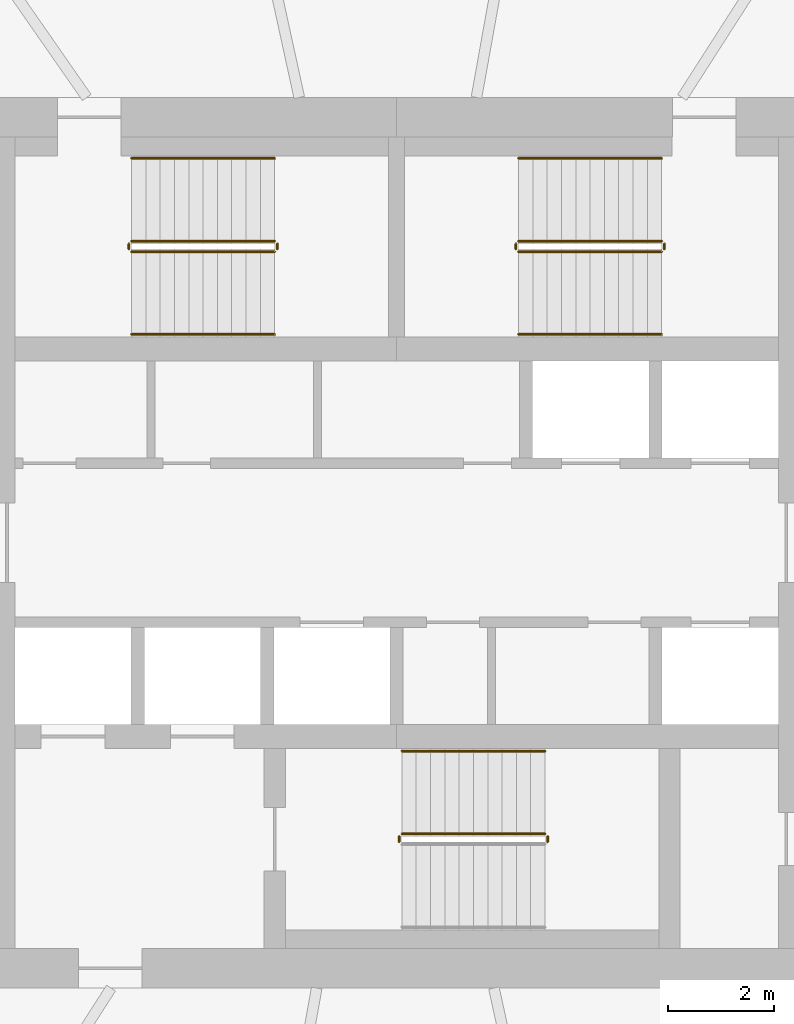
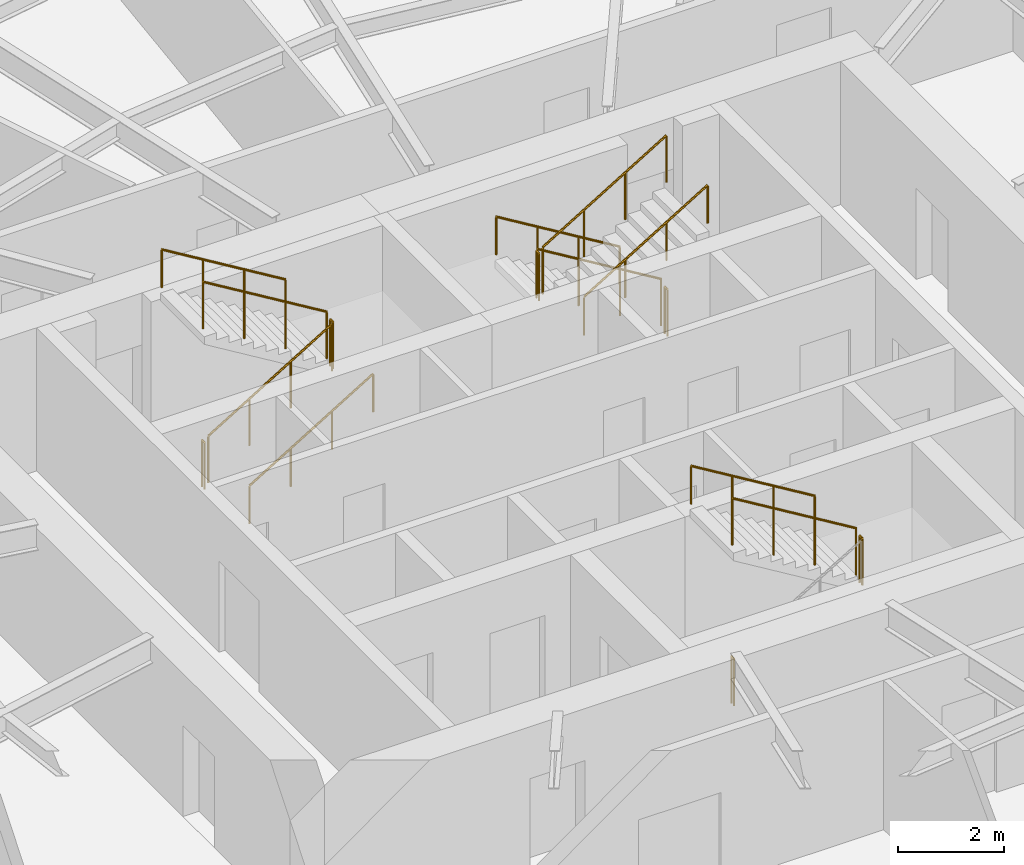
# One storey, part 13 of 14: 16 railings.
"""IFC4 building model written with IfcOpenShell, lengths in metres."""

from ifc_helpers import new_model, si_unit, direction, frame, origin, origin_2d, place, context, subcontext, project, spatial, circle, extrude, material, type_object, element, save


model = new_model("IFC4")

# Units and contexts
model_context = context("Model", 3, precision=1e-05, world=origin(), true_north=direction((0.0, 1.0)))
body_context = subcontext(model_context, "Body", "Model", "MODEL_VIEW")
ifc_project = project(units=[si_unit("LENGTHUNIT", "METRE"), si_unit("AREAUNIT", "SQUARE_METRE"), si_unit("VOLUMEUNIT", "CUBIC_METRE"), si_unit("PLANEANGLEUNIT", "RADIAN"), si_unit("MASSUNIT", "GRAM", prefix="KILO")], contexts=[model_context])

# Site, building, storey
site_placement = place(None, origin())
site = spatial("IfcSite", under=ifc_project, at=site_placement, CompositionType="ELEMENT")
building_placement = place(site_placement, origin())
building = spatial("IfcBuilding", under=site, at=building_placement, Name="Vermilion Reach Broadcast Tower", CompositionType="ELEMENT")
storey_placement = place(building_placement, frame((0.0, 0.0, 217.300048828125)))
storey = spatial("IfcBuildingStorey", under=building, at=storey_placement, Name="L53", CompositionType="ELEMENT", Elevation=217.300048828125)

# Railings
ifc_material_1 = material(Name="Stainless steel", Category="steel")
railing_type_1 = type_object("IfcRailingType", Name="Stair guard 1100", PredefinedType="GUARDRAIL", material=ifc_material_1)
railing_1_placement = place(storey_placement, frame((-11.0, 5.489990234375, 0.16357421875)))
element("IfcRailing", 1, at=railing_1_placement, inside=storey, type_object=railing_type_1, Name="L53 ST1 stair guard 1", PredefinedType="GUARDRAIL", context=body_context, shape_type="SweptSolid", body=[
    extrude(circle(Radius=0.02392578125, at=origin_2d()), frame((0.0, 0.0, 1.076171875), z_axis=(0.855178096276, 0.0, 0.518334277904), x_axis=(0.0, 1.0, 0.0)), (0.0, 0.0, 1.0), 3.1572265625),
    extrude(circle(Radius=0.02099609375, at=origin_2d()), origin(), (0.0, 0.0, 1.0), 1.052001953125),
    extrude(circle(Radius=0.02099609375, at=origin_2d()), frame((0.89990234375, 0.0, 0.54541015625)), (0.0, 0.0, 1.0), 1.052001953125),
    extrude(circle(Radius=0.02099609375, at=origin_2d()), frame((1.800048828125, 0.0, 1.091064453125)), (0.0, 0.0, 1.0), 1.052001953125),
    extrude(circle(Radius=0.02099609375, at=origin_2d()), frame((2.699951171875, 0.0, 1.636474609375)), (0.0, 0.0, 1.0), 1.052001953125),
])
railing_2_placement = place(storey_placement, frame((-8.25, 5.5400390625, 1.800048828125)))
element("IfcRailing", 2, at=railing_2_placement, inside=storey, type_object=railing_type_1, Name="L53 ST1 stair guard 2", PredefinedType="GUARDRAIL", context=body_context, shape_type="SweptSolid", body=[
    extrude(circle(Radius=0.02392578125, at=origin_2d()), frame((0.0, 0.0, 1.076171875), z_axis=(0.0, 1.0, 0.0), x_axis=(-1.0, 0.0, 0.0)), (0.0, 0.0, 1.0), 0.099853515625),
    extrude(circle(Radius=0.02099609375, at=origin_2d()), origin(), (0.0, 0.0, 1.0), 1.052001953125),
    extrude(circle(Radius=0.02099609375, at=origin_2d()), frame((0.0, 0.099853515625, 0.0)), (0.0, 0.0, 1.0), 1.052001953125),
])
railing_3_placement = place(storey_placement, frame((-8.300048828125, 5.68994140625, 1.963623046875)))
element("IfcRailing", 3, at=railing_3_placement, inside=storey, type_object=railing_type_1, Name="L53 ST1 stair guard 3", PredefinedType="GUARDRAIL", context=body_context, shape_type="SweptSolid", body=[
    extrude(circle(Radius=0.02392578125, at=origin_2d()), frame((0.0, 0.0, 1.076171875), z_axis=(-0.855212373127, 0.0, 0.518277721738), x_axis=(0.0, -1.0, 0.0)), (0.0, 0.0, 1.0), 3.156982421875),
    extrude(circle(Radius=0.02099609375, at=origin_2d()), origin(), (0.0, 0.0, 1.0), 1.052001953125),
    extrude(circle(Radius=0.02099609375, at=origin_2d()), frame((-0.89990234375, 0.0, 0.54541015625)), (0.0, 0.0, 1.0), 1.052001953125),
    extrude(circle(Radius=0.02099609375, at=origin_2d()), frame((-1.800048828125, 0.0, 1.0908203125)), (0.0, 0.0, 1.0), 1.052001953125),
    extrude(circle(Radius=0.02099609375, at=origin_2d()), frame((-2.699951171875, 0.0, 1.63623046875)), (0.0, 0.0, 1.0), 1.052001953125),
])
railing_4_placement = place(storey_placement, frame((-11.050048828125, 5.5400390625, 0.0)))
element("IfcRailing", 4, at=railing_4_placement, inside=storey, type_object=railing_type_1, Name="L53 ST1 stair guard 4", PredefinedType="GUARDRAIL", context=body_context, shape_type="SweptSolid", body=[
    extrude(circle(Radius=0.02392578125, at=origin_2d()), frame((0.0, 0.0, 1.076171875), z_axis=(0.0, 1.0, 0.0), x_axis=(-1.0, 0.0, 0.0)), (0.0, 0.0, 1.0), 0.099853515625),
    extrude(circle(Radius=0.02099609375, at=origin_2d()), origin(), (0.0, 0.0, 1.0), 1.052001953125),
    extrude(circle(Radius=0.02099609375, at=origin_2d()), frame((0.0, 0.099853515625, 0.0)), (0.0, 0.0, 1.0), 1.052001953125),
])
railing_5_placement = place(storey_placement, frame((-1.0, 5.68994140625, 0.16357421875)))
element("IfcRailing", 5, at=railing_5_placement, inside=storey, type_object=railing_type_1, Name="L53 ST2 stair guard 1", PredefinedType="GUARDRAIL", context=body_context, shape_type="SweptSolid", body=[
    extrude(circle(Radius=0.02392578125, at=origin_2d()), frame((0.0, 0.0, 1.076171875), z_axis=(-0.855178096276, 0.0, 0.518334277904), x_axis=(0.0, -1.0, 0.0)), (0.0, 0.0, 1.0), 3.1572265625),
    extrude(circle(Radius=0.02099609375, at=origin_2d()), origin(), (0.0, 0.0, 1.0), 1.052001953125),
    extrude(circle(Radius=0.02099609375, at=origin_2d()), frame((-0.89990234375, 0.0, 0.54541015625)), (0.0, 0.0, 1.0), 1.052001953125),
    extrude(circle(Radius=0.02099609375, at=origin_2d()), frame((-1.800048828125, 0.0, 1.091064453125)), (0.0, 0.0, 1.0), 1.052001953125),
    extrude(circle(Radius=0.02099609375, at=origin_2d()), frame((-2.699951171875, 0.0, 1.636474609375)), (0.0, 0.0, 1.0), 1.052001953125),
])
railing_6_placement = place(storey_placement, frame((-3.75, 5.639892578125, 1.800048828125)))
element("IfcRailing", 6, at=railing_6_placement, inside=storey, type_object=railing_type_1, Name="L53 ST2 stair guard 2", PredefinedType="GUARDRAIL", context=body_context, shape_type="SweptSolid", body=[
    extrude(circle(Radius=0.02392578125, at=origin_2d()), frame((0.0, 0.0, 1.076171875), z_axis=(0.0, -1.0, 0.0), x_axis=(1.0, 0.0, 0.0)), (0.0, 0.0, 1.0), 0.099853515625),
    extrude(circle(Radius=0.02099609375, at=origin_2d()), origin(), (0.0, 0.0, 1.0), 1.052001953125),
    extrude(circle(Radius=0.02099609375, at=origin_2d()), frame((0.0, -0.099853515625, 0.0)), (0.0, 0.0, 1.0), 1.052001953125),
])
railing_7_placement = place(storey_placement, frame((-3.699951171875, 5.489990234375, 1.963623046875)))
element("IfcRailing", 7, at=railing_7_placement, inside=storey, type_object=railing_type_1, Name="L53 ST2 stair guard 3", PredefinedType="GUARDRAIL", context=body_context, shape_type="SweptSolid", body=[
    extrude(circle(Radius=0.02392578125, at=origin_2d()), frame((0.0, 0.0, 1.076171875), z_axis=(0.855212373127, 0.0, 0.518277721738), x_axis=(0.0, 1.0, 0.0)), (0.0, 0.0, 1.0), 3.156982421875),
    extrude(circle(Radius=0.02099609375, at=origin_2d()), origin(), (0.0, 0.0, 1.0), 1.052001953125),
    extrude(circle(Radius=0.02099609375, at=origin_2d()), frame((0.89990234375, 0.0, 0.54541015625)), (0.0, 0.0, 1.0), 1.052001953125),
    extrude(circle(Radius=0.02099609375, at=origin_2d()), frame((1.800048828125, 0.0, 1.0908203125)), (0.0, 0.0, 1.0), 1.052001953125),
    extrude(circle(Radius=0.02099609375, at=origin_2d()), frame((2.699951171875, 0.0, 1.63623046875)), (0.0, 0.0, 1.0), 1.052001953125),
])
railing_8_placement = place(storey_placement, frame((-0.949951171875, 5.639892578125, 0.0)))
element("IfcRailing", 8, at=railing_8_placement, inside=storey, type_object=railing_type_1, Name="L53 ST2 stair guard 4", PredefinedType="GUARDRAIL", context=body_context, shape_type="SweptSolid", body=[
    extrude(circle(Radius=0.02392578125, at=origin_2d()), frame((0.0, 0.0, 1.076171875), z_axis=(0.0, -1.0, 0.0), x_axis=(1.0, 0.0, 0.0)), (0.0, 0.0, 1.0), 0.099853515625),
    extrude(circle(Radius=0.02099609375, at=origin_2d()), origin(), (0.0, 0.0, 1.0), 1.052001953125),
    extrude(circle(Radius=0.02099609375, at=origin_2d()), frame((0.0, -0.099853515625, 0.0)), (0.0, 0.0, 1.0), 1.052001953125),
])
railing_9_placement = place(storey_placement, frame((-3.14990234375, -5.639892578125, 1.800048828125)))
element("IfcRailing", 9, at=railing_9_placement, inside=storey, type_object=railing_type_1, Name="L53 ST3 stair guard 2", PredefinedType="GUARDRAIL", context=body_context, shape_type="SweptSolid", body=[
    extrude(circle(Radius=0.02392578125, at=origin_2d()), frame((0.0, 0.0, 1.076171875), z_axis=(0.0, 1.0, 0.0), x_axis=(-1.0, 0.0, 0.0)), (0.0, 0.0, 1.0), 0.099853515625),
    extrude(circle(Radius=0.02099609375, at=origin_2d()), origin(), (0.0, 0.0, 1.0), 1.052001953125),
    extrude(circle(Radius=0.02099609375, at=origin_2d()), frame((0.0, 0.099853515625, 0.0)), (0.0, 0.0, 1.0), 1.052001953125),
])
railing_10_placement = place(storey_placement, frame((-3.199951171875, -5.489990234375, 1.963623046875)))
element("IfcRailing", 10, at=railing_10_placement, inside=storey, type_object=railing_type_1, Name="L53 ST3 stair guard 3", PredefinedType="GUARDRAIL", context=body_context, shape_type="SweptSolid", body=[
    extrude(circle(Radius=0.02392578125, at=origin_2d()), frame((0.0, 0.0, 1.076171875), z_axis=(-0.855212373127, 0.0, 0.518277721738), x_axis=(0.0, -1.0, 0.0)), (0.0, 0.0, 1.0), 3.156982421875),
    extrude(circle(Radius=0.02099609375, at=origin_2d()), origin(), (0.0, 0.0, 1.0), 1.052001953125),
    extrude(circle(Radius=0.02099609375, at=origin_2d()), frame((-0.89990234375, 0.0, 0.54541015625)), (0.0, 0.0, 1.0), 1.052001953125),
    extrude(circle(Radius=0.02099609375, at=origin_2d()), frame((-1.800048828125, 0.0, 1.0908203125)), (0.0, 0.0, 1.0), 1.052001953125),
    extrude(circle(Radius=0.02099609375, at=origin_2d()), frame((-2.699951171875, 0.0, 1.63623046875)), (0.0, 0.0, 1.0), 1.052001953125),
])
railing_11_placement = place(storey_placement, frame((-5.949951171875, -5.639892578125, 0.0)))
element("IfcRailing", 11, at=railing_11_placement, inside=storey, type_object=railing_type_1, Name="L53 ST3 stair guard 4", PredefinedType="GUARDRAIL", context=body_context, shape_type="SweptSolid", body=[
    extrude(circle(Radius=0.02392578125, at=origin_2d()), frame((0.0, 0.0, 1.076171875), z_axis=(0.0, 1.0, 0.0), x_axis=(-1.0, 0.0, 0.0)), (0.0, 0.0, 1.0), 0.099853515625),
    extrude(circle(Radius=0.02099609375, at=origin_2d()), origin(), (0.0, 0.0, 1.0), 1.052001953125),
    extrude(circle(Radius=0.02099609375, at=origin_2d()), frame((0.0, 0.099853515625, 0.0)), (0.0, 0.0, 1.0), 1.052001953125),
])
ifc_material_2 = material(Name="Stainless steel", Category="steel")
railing_type_2 = type_object("IfcRailingType", Name="Stair handrail", PredefinedType="HANDRAIL", material=ifc_material_2)
railing_12_placement = place(storey_placement, frame((-11.0, 3.929931640625, 0.16357421875)))
element("IfcRailing", 12, at=railing_12_placement, inside=storey, type_object=railing_type_2, Name="L53 ST1 stair handrail 1", PredefinedType="HANDRAIL", context=body_context, shape_type="SweptSolid", body=[
    extrude(circle(Radius=0.02392578125, at=origin_2d()), frame((0.0, 0.0, 0.8759765625), z_axis=(0.855178096276, 0.0, 0.518334277904), x_axis=(0.0, 1.0, 0.0)), (0.0, 0.0, 1.0), 3.1572265625),
    extrude(circle(Radius=0.02099609375, at=origin_2d()), origin(), (0.0, 0.0, 1.0), 0.851806640625),
    extrude(circle(Radius=0.02099609375, at=origin_2d()), frame((0.89990234375, 0.0, 0.54541015625)), (0.0, 0.0, 1.0), 0.851806640625),
    extrude(circle(Radius=0.02099609375, at=origin_2d()), frame((1.800048828125, 0.0, 1.091064453125)), (0.0, 0.0, 1.0), 0.851806640625),
    extrude(circle(Radius=0.02099609375, at=origin_2d()), frame((2.699951171875, 0.0, 1.636474609375)), (0.0, 0.0, 1.0), 0.851806640625),
])
railing_13_placement = place(storey_placement, frame((-8.300048828125, 7.25, 1.963623046875)))
element("IfcRailing", 13, at=railing_13_placement, inside=storey, type_object=railing_type_2, Name="L53 ST1 stair handrail 2", PredefinedType="HANDRAIL", context=body_context, shape_type="SweptSolid", body=[
    extrude(circle(Radius=0.02392578125, at=origin_2d()), frame((0.0, 0.0, 0.8759765625), z_axis=(-0.855212373127, 0.0, 0.518277721738), x_axis=(0.0, -1.0, 0.0)), (0.0, 0.0, 1.0), 3.156982421875),
    extrude(circle(Radius=0.02099609375, at=origin_2d()), origin(), (0.0, 0.0, 1.0), 0.851806640625),
    extrude(circle(Radius=0.02099609375, at=origin_2d()), frame((-0.89990234375, 0.0, 0.54541015625)), (0.0, 0.0, 1.0), 0.851806640625),
    extrude(circle(Radius=0.02099609375, at=origin_2d()), frame((-1.800048828125, 0.0, 1.0908203125)), (0.0, 0.0, 1.0), 0.851806640625),
    extrude(circle(Radius=0.02099609375, at=origin_2d()), frame((-2.699951171875, 0.0, 1.63623046875)), (0.0, 0.0, 1.0), 0.851806640625),
])
railing_14_placement = place(storey_placement, frame((-1.0, 7.25, 0.16357421875)))
element("IfcRailing", 14, at=railing_14_placement, inside=storey, type_object=railing_type_2, Name="L53 ST2 stair handrail 1", PredefinedType="HANDRAIL", context=body_context, shape_type="SweptSolid", body=[
    extrude(circle(Radius=0.02392578125, at=origin_2d()), frame((0.0, 0.0, 0.8759765625), z_axis=(-0.855178096276, 0.0, 0.518334277904), x_axis=(0.0, -1.0, 0.0)), (0.0, 0.0, 1.0), 3.1572265625),
    extrude(circle(Radius=0.02099609375, at=origin_2d()), origin(), (0.0, 0.0, 1.0), 0.851806640625),
    extrude(circle(Radius=0.02099609375, at=origin_2d()), frame((-0.89990234375, 0.0, 0.54541015625)), (0.0, 0.0, 1.0), 0.851806640625),
    extrude(circle(Radius=0.02099609375, at=origin_2d()), frame((-1.800048828125, 0.0, 1.091064453125)), (0.0, 0.0, 1.0), 0.851806640625),
    extrude(circle(Radius=0.02099609375, at=origin_2d()), frame((-2.699951171875, 0.0, 1.636474609375)), (0.0, 0.0, 1.0), 0.851806640625),
])
railing_15_placement = place(storey_placement, frame((-3.699951171875, 3.929931640625, 1.963623046875)))
element("IfcRailing", 15, at=railing_15_placement, inside=storey, type_object=railing_type_2, Name="L53 ST2 stair handrail 2", PredefinedType="HANDRAIL", context=body_context, shape_type="SweptSolid", body=[
    extrude(circle(Radius=0.02392578125, at=origin_2d()), frame((0.0, 0.0, 0.8759765625), z_axis=(0.855212373127, 0.0, 0.518277721738), x_axis=(0.0, 1.0, 0.0)), (0.0, 0.0, 1.0), 3.156982421875),
    extrude(circle(Radius=0.02099609375, at=origin_2d()), origin(), (0.0, 0.0, 1.0), 0.851806640625),
    extrude(circle(Radius=0.02099609375, at=origin_2d()), frame((0.89990234375, 0.0, 0.54541015625)), (0.0, 0.0, 1.0), 0.851806640625),
    extrude(circle(Radius=0.02099609375, at=origin_2d()), frame((1.800048828125, 0.0, 1.0908203125)), (0.0, 0.0, 1.0), 0.851806640625),
    extrude(circle(Radius=0.02099609375, at=origin_2d()), frame((2.699951171875, 0.0, 1.63623046875)), (0.0, 0.0, 1.0), 0.851806640625),
])
railing_16_placement = place(storey_placement, frame((-3.199951171875, -3.929931640625, 1.963623046875)))
element("IfcRailing", 16, at=railing_16_placement, inside=storey, type_object=railing_type_2, Name="L53 ST3 stair handrail 2", PredefinedType="HANDRAIL", context=body_context, shape_type="SweptSolid", body=[
    extrude(circle(Radius=0.02392578125, at=origin_2d()), frame((0.0, 0.0, 0.8759765625), z_axis=(-0.855212373127, 0.0, 0.518277721738), x_axis=(0.0, -1.0, 0.0)), (0.0, 0.0, 1.0), 3.156982421875),
    extrude(circle(Radius=0.02099609375, at=origin_2d()), origin(), (0.0, 0.0, 1.0), 0.851806640625),
    extrude(circle(Radius=0.02099609375, at=origin_2d()), frame((-0.89990234375, 0.0, 0.54541015625)), (0.0, 0.0, 1.0), 0.851806640625),
    extrude(circle(Radius=0.02099609375, at=origin_2d()), frame((-1.800048828125, 0.0, 1.0908203125)), (0.0, 0.0, 1.0), 0.851806640625),
    extrude(circle(Radius=0.02099609375, at=origin_2d()), frame((-2.699951171875, 0.0, 1.63623046875)), (0.0, 0.0, 1.0), 0.851806640625),
])

save(model, "model.ifc")
